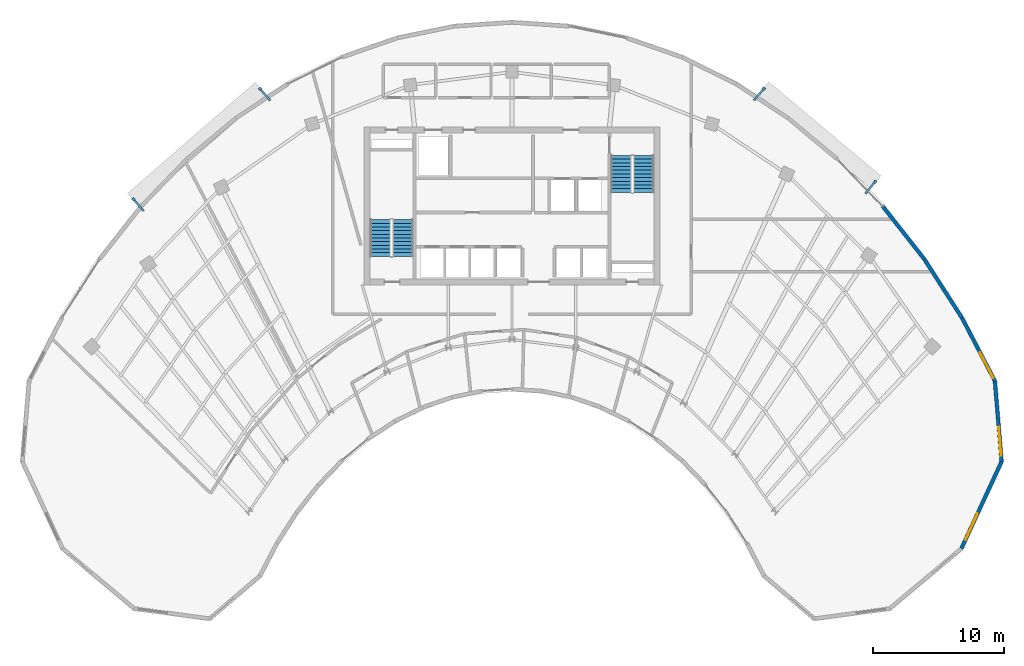
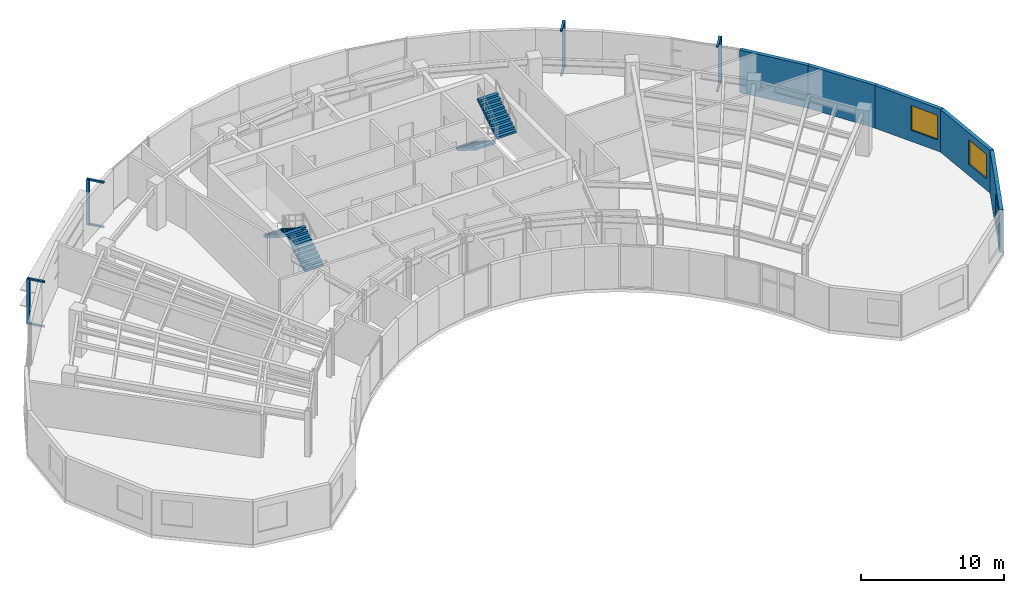
# One storey, part 11 of 13: 12 discrete accessories, 5 walls, 4 stair flights, 3 windows, 3 openings, 2 elements without a shape of their own.
"""IFC4 building model written with IfcOpenShell, lengths in metres."""

from ifc_helpers import new_model, si_unit, direction, frame, frame_2d, origin, origin_2d, place, context, subcontext, project, spatial, polyline, rectangle, outline, extrude, source, transform, mapped, material, layer, layer_set, type_object, type_shapes, element, fill, aggregate, save


model = new_model("IFC4")

# Units and contexts
model_context = context("Model", 3, precision=1e-05, world=origin(), true_north=direction((0.0, 1.0)))
body_context = subcontext(model_context, "Body", "Model", "MODEL_VIEW")
ifc_project = project(units=[si_unit("LENGTHUNIT", "METRE"), si_unit("AREAUNIT", "SQUARE_METRE"), si_unit("VOLUMEUNIT", "CUBIC_METRE"), si_unit("PLANEANGLEUNIT", "RADIAN"), si_unit("MASSUNIT", "GRAM", prefix="KILO")], contexts=[model_context])

# Site, building, storey
site_placement = place(None, origin())
site = spatial("IfcSite", under=ifc_project, at=site_placement, CompositionType="ELEMENT")
building_placement = place(site_placement, origin())
building = spatial("IfcBuilding", under=site, at=building_placement, Name="Breltana Convention Tower", CompositionType="ELEMENT")
storey_placement = place(building_placement, frame((0.0, 0.0, 223.5)))
storey = spatial("IfcBuildingStorey", under=building, at=storey_placement, Name="L54", CompositionType="ELEMENT", Elevation=223.5)

# Wall, opening, window
ifc_material_1 = material(Name="Limestone Buff Insulated Wall", Category="masonry")
ifc_layer = layer(ifc_material_1, 0.280029296875, Name="Limestone Buff Insulated Wall")
ifc_layer_set = layer_set([ifc_layer], Name="Limestone Buff Insulated Wall")
wall_type = type_object("IfcWallType", Name="WL-EXT-NOSE-280", PredefinedType="SOLIDWALL", material=ifc_layer_set)
shared_shape_1 = source(origin(), body_context, "Body", "SweptSolid", [
    extrude(rectangle(XDim=6.145751953125, YDim=0.280029296875, at=frame_2d((3.07275390625, 0.0))), origin(), (0.0, 0.0, 1.0), 3.639892578125),
])
wall_1_placement = place(storey_placement, frame((84.756103515625, 52.87353515625, 0.0), z_axis=(0.0, 0.0, 1.0), x_axis=(0.083301904456, -0.996524356307, 0.0)))
wall_1 = element("IfcWall", 1, at=wall_1_placement, inside=storey, type_object=wall_type, Name="L54 curved limestone nose wall E1", PredefinedType="SOLIDWALL", context=body_context, shape_type="MappedRepresentation", body=[
    mapped(shared_shape_1, transform((0.0, 0.0, 0.0), scale=1.0)),
])
opening_1_placement = place(wall_1_placement, frame((3.50927734375, 0.0, 0.949951171875)))
opening_1 = element("IfcOpeningElement", 2, at=opening_1_placement, cuts=wall_1, Name="Opening W-03", PredefinedType="OPENING", context=body_context, shape_type="SweptSolid", body=[
    extrude(rectangle(XDim=2.199951171875, YDim=2.10009765625, at=frame_2d((1.10009765625, 1.050048828125))), frame((0.0, 0.14990234375, 0.0), z_axis=(0.0, -1.0, 0.0), x_axis=(1.0, 0.0, 0.0)), (0.0, 0.0, 1.0), 0.300048828125),
])
ifc_material_2 = material(Name="Glass Low-E Insulated Window", Category="glass")
window_type = type_object("IfcWindowType", Name="WN-NOSE-2200X2100", PartitioningType="TRIPLE_PANEL_VERTICAL", PredefinedType="WINDOW", material=ifc_material_2)
shared_shape_2 = source(origin(), body_context, "Body", "SweptSolid", [
    extrude(rectangle(XDim=2.199951171875, YDim=2.10009765625, at=frame_2d((1.10009765625, 1.050048828125))), frame((0.0, 0.030029296875, 0.0), z_axis=(0.0, -1.0, 0.0), x_axis=(1.0, 0.0, 0.0)), (0.0, 0.0, 1.0), 0.06005859375),
])
type_shapes(window_type, [shared_shape_2])
window_1_placement = place(opening_1_placement, origin())
window_1 = element("IfcWindow", 3, at=window_1_placement, inside=storey, type_object=window_type, Name="L54 nose window E1", OverallHeight=2.10009765625, OverallWidth=2.199951171875, PartitioningType="TRIPLE_PANEL_VERTICAL", PredefinedType="WINDOW", context=body_context, shape_type="MappedRepresentation", body=[
    mapped(shared_shape_2, transform((0.0, 0.0, 0.0), scale=1.0)),
])
fill(opening_1, window_1)

shared_shape_3 = source(origin(), body_context, "Body", "SweptSolid", [
    extrude(rectangle(XDim=7.29150390625, YDim=0.280029296875, at=frame_2d((3.645751953125, 0.0))), origin(), (0.0, 0.0, 1.0), 3.639892578125),
])
wall_2_placement = place(storey_placement, frame((85.26806640625, 46.7490234375, 0.0), z_axis=(0.0, 0.0, 1.0), x_axis=(-0.419642001049, -0.907689699708, 0.0)))
wall_2 = element("IfcWall", 4, at=wall_2_placement, inside=storey, type_object=wall_type, Name="L54 curved limestone nose wall E2", PredefinedType="SOLIDWALL", context=body_context, shape_type="MappedRepresentation", body=[
    mapped(shared_shape_3, transform((0.0, 0.0, 0.0), scale=1.0)),
])
opening_2_placement = place(wall_2_placement, frame((4.36865234375, 0.0, 0.949951171875)))
opening_2 = element("IfcOpeningElement", 5, at=opening_2_placement, cuts=wall_2, Name="Opening W-03", PredefinedType="OPENING", context=body_context, shape_type="SweptSolid", body=[
    extrude(rectangle(XDim=2.199951171875, YDim=2.10009765625, at=frame_2d((1.10009765625, 1.050048828125))), frame((0.0, 0.14990234375, 0.0), z_axis=(0.0, -1.0, 0.0), x_axis=(1.0, 0.0, 0.0)), (0.0, 0.0, 1.0), 0.300048828125),
])
window_2_placement = place(opening_2_placement, origin())
window_2 = element("IfcWindow", 6, at=window_2_placement, inside=storey, type_object=window_type, Name="L54 nose window E2", OverallHeight=2.10009765625, OverallWidth=2.199951171875, PartitioningType="TRIPLE_PANEL_VERTICAL", PredefinedType="WINDOW", context=body_context, shape_type="MappedRepresentation", body=[
    mapped(shared_shape_2, transform((0.0, 0.0, 0.0), scale=1.0)),
])
fill(opening_2, window_2)

shared_shape_4 = source(origin(), body_context, "Body", "SweptSolid", [
    extrude(rectangle(XDim=5.41552734375, YDim=0.280029296875, at=frame_2d((2.707763671875, 0.0))), origin(), (0.0, 0.0, 1.0), 3.639892578125),
])
wall_3_placement = place(storey_placement, frame((82.25537109375, 57.677001953125, 0.0), z_axis=(0.0, 0.0, 1.0), x_axis=(0.46177852435, -0.886995261796, 0.0)))
wall_3 = element("IfcWall", 7, at=wall_3_placement, inside=storey, type_object=wall_type, Name="L54 curved limestone nose wall E34", PredefinedType="SOLIDWALL", context=body_context, shape_type="MappedRepresentation", body=[
    mapped(shared_shape_4, transform((0.0, 0.0, 0.0), scale=1.0)),
])
opening_3_placement = place(wall_3_placement, frame((2.961669921875, 0.0, 0.949951171875)))
opening_3 = element("IfcOpeningElement", 8, at=opening_3_placement, cuts=wall_3, Name="Opening W-03", PredefinedType="OPENING", context=body_context, shape_type="SweptSolid", body=[
    extrude(rectangle(XDim=2.199951171875, YDim=2.10009765625, at=frame_2d((1.10009765625, 1.050048828125))), frame((0.0, 0.14990234375, 0.0), z_axis=(0.0, -1.0, 0.0), x_axis=(1.0, 0.0, 0.0)), (0.0, 0.0, 1.0), 0.300048828125),
])
window_3_placement = place(opening_3_placement, origin())
window_3 = element("IfcWindow", 9, at=window_3_placement, inside=storey, type_object=window_type, Name="L54 nose window E34", OverallHeight=2.10009765625, OverallWidth=2.199951171875, PartitioningType="TRIPLE_PANEL_VERTICAL", PredefinedType="WINDOW", context=body_context, shape_type="MappedRepresentation", body=[
    mapped(shared_shape_2, transform((0.0, 0.0, 0.0), scale=1.0)),
])
fill(opening_3, window_3)

# Walls
shared_shape_5 = source(origin(), body_context, "Body", "SweptSolid", [
    extrude(rectangle(XDim=5.153076171875, YDim=0.280029296875, at=frame_2d((2.57666015625, 0.0))), origin(), (0.0, 0.0, 1.0), 3.639892578125),
])
wall_4_placement = place(storey_placement, frame((76.205322265625, 66.190185546875, 0.0), z_axis=(0.0, 0.0, 1.0), x_axis=(0.618179283891, -0.786037132054, 0.0)))
element("IfcWall", 10, at=wall_4_placement, inside=storey, type_object=wall_type, Name="L54 curved limestone nose wall E32", PredefinedType="SOLIDWALL", context=body_context, shape_type="MappedRepresentation", body=[
    mapped(shared_shape_5, transform((0.0, 0.0, 0.0), scale=1.0)),
])
shared_shape_6 = source(origin(), body_context, "Body", "SweptSolid", [
    extrude(rectangle(XDim=5.302978515625, YDim=0.280029296875, at=frame_2d((2.6513671875, 0.0))), origin(), (0.0, 0.0, 1.0), 3.639892578125),
])
wall_5_placement = place(storey_placement, frame((79.390869140625, 62.1396484375, 0.0), z_axis=(0.0, 0.0, 1.0), x_axis=(0.540178067041, -0.84155074469, 0.0)))
element("IfcWall", 11, at=wall_5_placement, inside=storey, type_object=wall_type, Name="L54 curved limestone nose wall E33", PredefinedType="SOLIDWALL", context=body_context, shape_type="MappedRepresentation", body=[
    mapped(shared_shape_6, transform((0.0, 0.0, 0.0), scale=1.0)),
])

# Stair, stair flights
ifc_material_3 = material(Name="Concrete C40/50", Category="concrete")
stair_type = type_object("IfcStairType", Name="ST-DOG-1560-R177", PredefinedType="HALF_TURN_STAIR", material=ifc_material_3)
stair_1_placement = place(storey_placement, origin())
stair_1 = element("IfcStair", 12, at=stair_1_placement, inside=storey, type_object=stair_type, Name="L54 Protected Core Exit Stair ST-1", PredefinedType="HALF_TURN_STAIR")
stair_flight_type = type_object("IfcStairFlightType", Name="STF-DOG-1560-N11-R177", PredefinedType="STRAIGHT", material=ifc_material_3)
stair_flight_1_placement = place(storey_placement, frame((39.68994140625, 62.360107421875, 0.0), z_axis=(0.0, 0.0, 1.0), x_axis=(0.0, 1.0, 0.0)))
stair_flight_1 = element("IfcStairFlight", 13, at=stair_flight_1_placement, type_object=stair_flight_type, Name="ST-1 flight 1", NumberOfRisers=11, NumberOfTreads=10, PredefinedType="STRAIGHT", RiserHeight=0.177272727, TreadLength=0.28, context=body_context, shape_type="SweptSolid", body=[
    extrude(outline(polyline([(0.0, 0.0), (0.0, 0.17724609375), (0.280029296875, 0.17724609375), (0.280029296875, 0.3544921875), (0.56005859375, 0.3544921875), (0.56005859375, 0.53173828125), (0.840087890625, 0.53173828125), (0.840087890625, 0.708984375), (1.1201171875, 0.708984375), (1.1201171875, 0.886474609375), (1.39990234375, 0.886474609375), (1.39990234375, 1.063720703125), (1.679931640625, 1.063720703125), (1.679931640625, 1.240966796875), (1.9599609375, 1.240966796875), (1.9599609375, 1.418212890625), (2.239990234375, 1.418212890625), (2.239990234375, 1.595458984375), (2.52001953125, 1.595458984375), (2.52001953125, 1.772705078125), (2.800048828125, 1.772705078125), (2.800048828125, 1.949951171875), (2.800048828125, 1.59521484375), (0.2802734375, 0.0), (0.0, 0.0)])), frame((0.0, 0.780029296875, 0.0), z_axis=(0.0, -1.0, 0.0), x_axis=(1.0, 0.0, 0.0)), (0.0, 0.0, 1.0), 1.56005859375),
])
stair_flight_2_placement = place(storey_placement, frame((37.97998046875, 65.159912109375, 1.949951171875), z_axis=(0.0, 0.0, 1.0), x_axis=(0.0, -1.0, 0.0)))
stair_flight_2 = element("IfcStairFlight", 14, at=stair_flight_2_placement, type_object=stair_flight_type, Name="ST-1 flight 2", NumberOfRisers=11, NumberOfTreads=10, PredefinedType="STRAIGHT", RiserHeight=0.177272727, TreadLength=0.28, context=body_context, shape_type="SweptSolid", body=[
    extrude(outline(polyline([(0.0, 0.0), (0.0, 0.17724609375), (0.280029296875, 0.17724609375), (0.280029296875, 0.3544921875), (0.56005859375, 0.3544921875), (0.56005859375, 0.53173828125), (0.840087890625, 0.53173828125), (0.840087890625, 0.708984375), (1.1201171875, 0.708984375), (1.1201171875, 0.886474609375), (1.39990234375, 0.886474609375), (1.39990234375, 1.063720703125), (1.679931640625, 1.063720703125), (1.679931640625, 1.240966796875), (1.9599609375, 1.240966796875), (1.9599609375, 1.418212890625), (2.239990234375, 1.418212890625), (2.239990234375, 1.595458984375), (2.52001953125, 1.595458984375), (2.52001953125, 1.772705078125), (2.800048828125, 1.772705078125), (2.800048828125, 1.949951171875), (2.800048828125, 1.59521484375), (0.2802734375, 0.0), (0.0, 0.0)])), frame((0.0, 0.780029296875, 0.0), z_axis=(0.0, -1.0, 0.0), x_axis=(1.0, 0.0, 0.0)), (0.0, 0.0, 1.0), 1.56005859375),
])
aggregate(stair_1, [stair_flight_1, stair_flight_2])

stair_2_placement = place(storey_placement, origin())
stair_2 = element("IfcStair", 15, at=stair_2_placement, inside=storey, type_object=stair_type, Name="L54 Protected Core Exit Stair ST-2", PredefinedType="HALF_TURN_STAIR")
stair_flight_3_placement = place(storey_placement, frame((56.31005859375, 70.0400390625, 0.0), z_axis=(0.0, 0.0, 1.0), x_axis=(0.0, -1.0, 0.0)))
stair_flight_3 = element("IfcStairFlight", 16, at=stair_flight_3_placement, type_object=stair_flight_type, Name="ST-2 flight 1", NumberOfRisers=11, NumberOfTreads=10, PredefinedType="STRAIGHT", RiserHeight=0.177272727, TreadLength=0.28, context=body_context, shape_type="SweptSolid", body=[
    extrude(outline(polyline([(0.0, 0.0), (0.0, 0.17724609375), (0.280029296875, 0.17724609375), (0.280029296875, 0.3544921875), (0.56005859375, 0.3544921875), (0.56005859375, 0.53173828125), (0.840087890625, 0.53173828125), (0.840087890625, 0.708984375), (1.1201171875, 0.708984375), (1.1201171875, 0.886474609375), (1.39990234375, 0.886474609375), (1.39990234375, 1.063720703125), (1.679931640625, 1.063720703125), (1.679931640625, 1.240966796875), (1.9599609375, 1.240966796875), (1.9599609375, 1.418212890625), (2.239990234375, 1.418212890625), (2.239990234375, 1.595458984375), (2.52001953125, 1.595458984375), (2.52001953125, 1.772705078125), (2.800048828125, 1.772705078125), (2.800048828125, 1.949951171875), (2.800048828125, 1.59521484375), (0.2802734375, 0.0), (0.0, 0.0)])), frame((0.0, 0.780029296875, 0.0), z_axis=(0.0, -1.0, 0.0), x_axis=(1.0, 0.0, 0.0)), (0.0, 0.0, 1.0), 1.56005859375),
])
stair_flight_4_placement = place(storey_placement, frame((58.02001953125, 67.239990234375, 1.949951171875), z_axis=(0.0, 0.0, 1.0), x_axis=(0.0, 1.0, 0.0)))
stair_flight_4 = element("IfcStairFlight", 17, at=stair_flight_4_placement, type_object=stair_flight_type, Name="ST-2 flight 2", NumberOfRisers=11, NumberOfTreads=10, PredefinedType="STRAIGHT", RiserHeight=0.177272727, TreadLength=0.28, context=body_context, shape_type="SweptSolid", body=[
    extrude(outline(polyline([(0.0, 0.0), (0.0, 0.17724609375), (0.280029296875, 0.17724609375), (0.280029296875, 0.3544921875), (0.56005859375, 0.3544921875), (0.56005859375, 0.53173828125), (0.840087890625, 0.53173828125), (0.840087890625, 0.708984375), (1.1201171875, 0.708984375), (1.1201171875, 0.886474609375), (1.39990234375, 0.886474609375), (1.39990234375, 1.063720703125), (1.679931640625, 1.063720703125), (1.679931640625, 1.240966796875), (1.9599609375, 1.240966796875), (1.9599609375, 1.418212890625), (2.239990234375, 1.418212890625), (2.239990234375, 1.595458984375), (2.52001953125, 1.595458984375), (2.52001953125, 1.772705078125), (2.800048828125, 1.772705078125), (2.800048828125, 1.949951171875), (2.800048828125, 1.59521484375), (0.2802734375, 0.0), (0.0, 0.0)])), frame((0.0, 0.780029296875, 0.0), z_axis=(0.0, -1.0, 0.0), x_axis=(1.0, 0.0, 0.0)), (0.0, 0.0, 1.0), 1.56005859375),
])
aggregate(stair_2, [stair_flight_3, stair_flight_4])

# Discrete accessories
ifc_material_4 = material(Name="Steel S355", Category="steel")
discrete_accessory_type_1 = type_object("IfcDiscreteAccessoryType", Name="ACC-DSF-BRACKET-150", PredefinedType="BRACKET", material=ifc_material_4)
shared_shape_7 = source(origin(), body_context, "Body", "SweptSolid", [
    extrude(rectangle(XDim=1.239990234375, YDim=0.14990234375, at=origin_2d()), origin(), (0.0, 0.0, 1.0), 0.139892578125),
])
type_shapes(discrete_accessory_type_1, [shared_shape_7])
for number, where, z_axis, x_axis, name in (
    (18, (19.545166015625, 66.295166015625, -0.16015625), (0.0, 0.0, 1.0), (-0.65645174674, 0.754368016423, 0.0), "L54 double-skin slab stand-off bracket 1.1B"),
    (19, (19.545166015625, 66.295166015625, 3.64013671875), (0.0, 0.0, 1.0), (-0.65645174674, 0.754368016423, 0.0), "L54 double-skin slab stand-off bracket 1.1T"),
    (20, (29.1953125, 74.69287109375, -0.16015625), (0.0, 0.0, 1.0), (-0.65645174674, 0.754368016423, 0.0), "L54 double-skin slab stand-off bracket 1.2B"),
    (21, (29.1953125, 74.69287109375, 3.64013671875), (0.0, 0.0, 1.0), (-0.65645174674, 0.754368016423, 0.0), "L54 double-skin slab stand-off bracket 1.2T"),
    (22, (66.8125, 74.715087890625, -0.16015625), (0.0, 0.0, 1.0), (0.641983760468, 0.766718234618, 0.0), "L54 double-skin slab stand-off bracket 2.1B"),
    (23, (66.8125, 74.715087890625, 3.64013671875), (0.0, 0.0, 1.0), (0.641983760468, 0.766718234618, 0.0), "L54 double-skin slab stand-off bracket 2.1T"),
    (24, (75.29150390625, 67.615478515625, -0.16015625), (0.0, 0.0, 1.0), (0.641983760468, 0.766718234618, 0.0), "L54 double-skin slab stand-off bracket 2.2B"),
    (25, (75.29150390625, 67.615478515625, 3.64013671875), (0.0, 0.0, 1.0), (0.641983760468, 0.766718234618, 0.0), "L54 double-skin slab stand-off bracket 2.2T"),
):
    element("IfcDiscreteAccessory", number, at=place(storey_placement, frame(where, z_axis=z_axis, x_axis=x_axis)), inside=storey, type_object=discrete_accessory_type_1, Name=name, PredefinedType="BRACKET", context=body_context, shape_type="MappedRepresentation", body=[
        mapped(shared_shape_7, transform((0.0, 0.0, 0.0), scale=1.0)),
    ])
discrete_accessory_type_2 = type_object("IfcDiscreteAccessoryType", Name="ACC-DSF-CARRIER-150", PredefinedType="BRACKET", material=ifc_material_4)
shared_shape_8 = source(origin(), body_context, "Body", "SweptSolid", [
    extrude(rectangle(XDim=0.219970703125, YDim=0.219970703125, at=origin_2d()), origin(), (0.0, 0.0, 1.0), 3.860107421875),
])
for number, where, z_axis, x_axis, name in (
    (26, (19.177490234375, 66.7177734375, -0.1201171875), (0.0, 0.0, 1.0), (-0.65645174674, 0.754368016423, 0.0), "L54 double-skin outer vertical carrier 1.1"),
    (27, (28.82763671875, 75.115478515625, -0.1201171875), (0.0, 0.0, 1.0), (-0.65645174674, 0.754368016423, 0.0), "L54 double-skin outer vertical carrier 1.2"),
    (28, (67.172119140625, 75.144287109375, -0.1201171875), (0.0, 0.0, 1.0), (0.641983760468, 0.766718234618, 0.0), "L54 double-skin outer vertical carrier 2.1"),
    (29, (75.65087890625, 68.044921875, -0.1201171875), (0.0, 0.0, 1.0), (0.641983760468, 0.766718234618, 0.0), "L54 double-skin outer vertical carrier 2.2"),
):
    element("IfcDiscreteAccessory", number, at=place(storey_placement, frame(where, z_axis=z_axis, x_axis=x_axis)), inside=storey, type_object=discrete_accessory_type_2, Name=name, PredefinedType="BRACKET", context=body_context, shape_type="MappedRepresentation", body=[
        mapped(shared_shape_8, transform((0.0, 0.0, 0.0), scale=1.0)),
    ])

save(model, "model.ifc")
